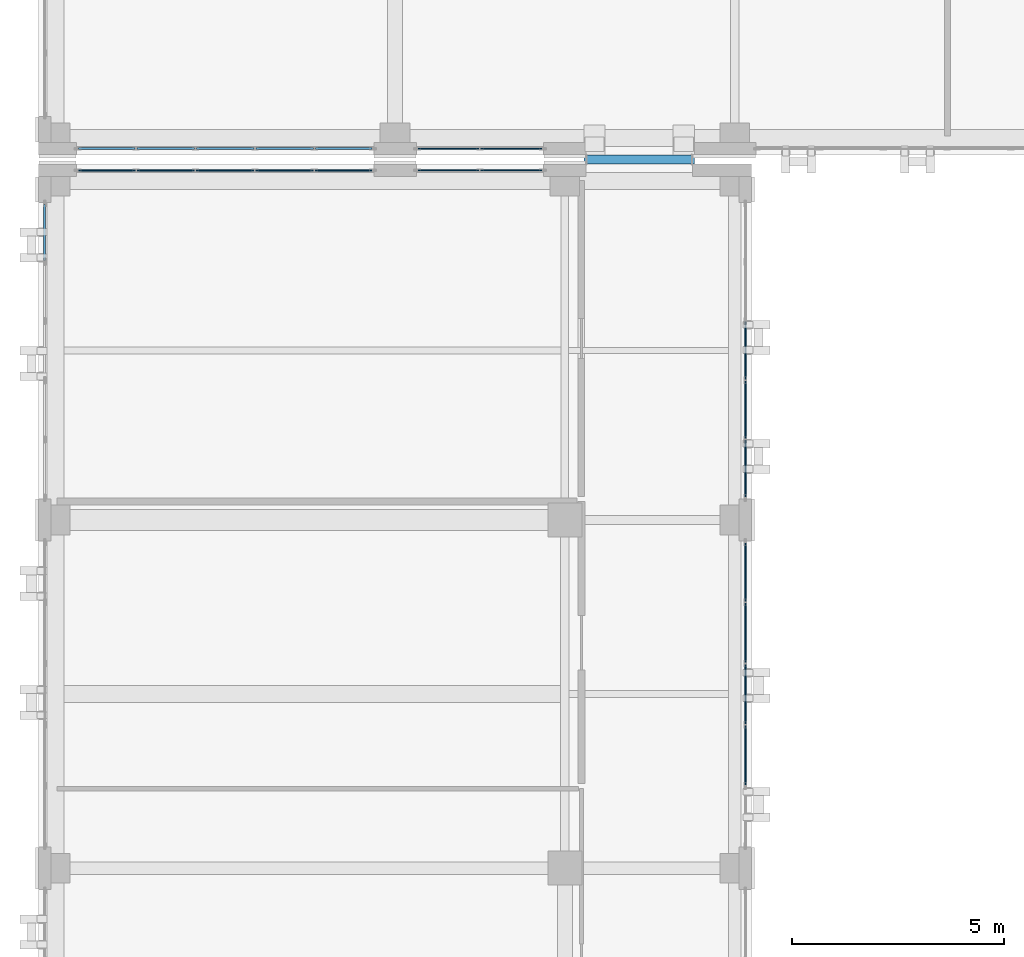
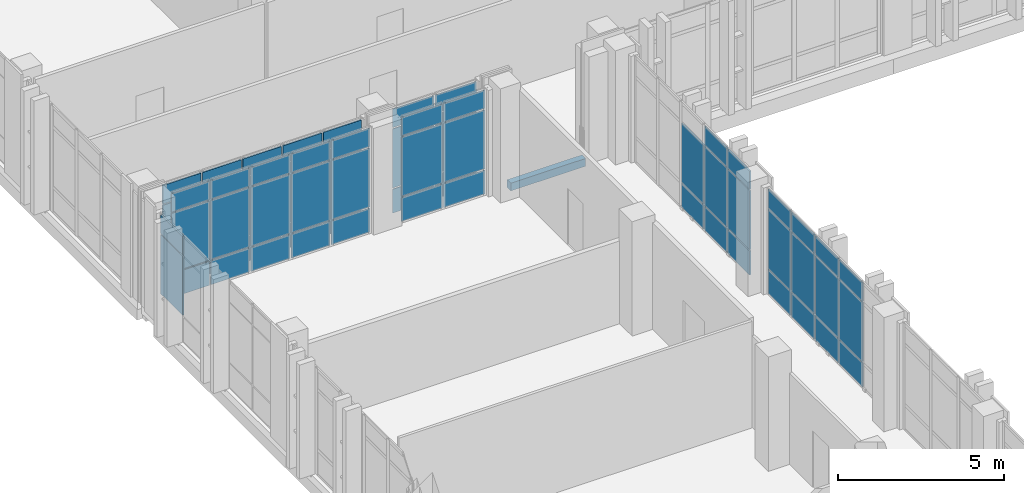
# One storey, part 124 of 165: 64 plates, 1 slab, 7 elements without a shape of their own.
"""IFC4 building model written with IfcOpenShell, lengths in metres."""

from ifc_helpers import new_model, si_unit, direction, frame, origin, origin_2d, place, context, subcontext, project, spatial, polyline, rectangle, outline, extrude, material, layer, layer_set, type_object, element, aggregate, save


model = new_model("IFC4")

# Units and contexts
model_context = context("Model", 3, precision=1e-05, world=origin(), true_north=direction((0.0, 1.0)))
body_context = subcontext(model_context, "Body", "Model", "MODEL_VIEW")
ifc_project = project(units=[si_unit("LENGTHUNIT", "METRE"), si_unit("AREAUNIT", "SQUARE_METRE"), si_unit("VOLUMEUNIT", "CUBIC_METRE"), si_unit("PLANEANGLEUNIT", "RADIAN"), si_unit("MASSUNIT", "GRAM", prefix="KILO")], contexts=[model_context])

# Site, building, storey
site_placement = place(None, origin())
site = spatial("IfcSite", under=ifc_project, at=site_placement, CompositionType="ELEMENT")
building_placement = place(site_placement, origin())
building = spatial("IfcBuilding", under=site, at=building_placement, Name="Qalavern Law Courts", CompositionType="ELEMENT")
storey_placement = place(building_placement, frame((0.0, 0.0, 14.39990234375)))
storey = spatial("IfcBuildingStorey", under=building, at=storey_placement, Name="L03", CompositionType="ELEMENT", Elevation=14.39990234375)

# Curtain wall, plates
ifc_material_1 = material(Name="Anodised aluminium and insulated glazing", Category="aluminium")
ifc_layer_1 = layer(ifc_material_1, 0.172119140625)
ifc_layer_set_1 = layer_set([ifc_layer_1], Name="Anodised aluminium and insulated glazing")
curtain_wall_type_1 = type_object("IfcCurtainWallType", Name="ENV-CW-COURT", PredefinedType="USERDEFINED", material=ifc_layer_set_1)
curtain_wall_1_placement = place(storey_placement, origin())
curtain_wall_1 = element("IfcCurtainWall", 1, at=curtain_wall_1_placement, inside=storey, type_object=curtain_wall_type_1, Name="V3 unitised curtain wall L03 north 1", ObjectType="UNITISED CURTAIN WALL", PredefinedType="USERDEFINED")
ifc_material_2 = material(Name="Insulated low-E acoustic glazing", Category="glass")
ifc_layer_2 = layer(ifc_material_2, 0.02392578125)
ifc_layer_set_2 = layer_set([ifc_layer_2], Name="Insulated low-E acoustic glazing")
plate_type_1 = type_object("IfcPlateType", Name="ENV-CWP-24", PredefinedType="CURTAIN_PANEL", material=ifc_layer_set_2)
plate_1_placement = place(storey_placement, frame((13.137939453125, 95.83251953125, 0.048095703125), z_axis=(0.0, 0.0, 1.0), x_axis=(-1.0, 0.0, 0.0)))
plate_1 = element("IfcPlate", 2, at=plate_1_placement, type_object=plate_type_1, Name="CW-03 panel 1.1", PredefinedType="CURTAIN_PANEL", context=body_context, shape_type="SweptSolid", body=[
    extrude(rectangle(XDim=1.427978515625, YDim=0.02392578125, at=origin_2d()), origin(), (0.0, 0.0, 1.0), 0.8779296875),
])
plate_2_placement = place(storey_placement, frame((13.137939453125, 95.83251953125, 0.97412109375), z_axis=(0.0, 0.0, 1.0), x_axis=(-1.0, 0.0, 0.0)))
plate_2 = element("IfcPlate", 3, at=plate_2_placement, type_object=plate_type_1, Name="CW-03 panel 1.2", PredefinedType="CURTAIN_PANEL", context=body_context, shape_type="SweptSolid", body=[
    extrude(rectangle(XDim=1.427978515625, YDim=0.02392578125, at=origin_2d()), origin(), (0.0, 0.0, 1.0), 2.172119140625),
])
plate_3_placement = place(storey_placement, frame((13.137939453125, 95.83251953125, 3.1943359375), z_axis=(0.0, 0.0, 1.0), x_axis=(-1.0, 0.0, 0.0)))
plate_3 = element("IfcPlate", 4, at=plate_3_placement, type_object=plate_type_1, Name="CW-03 panel 1.3", PredefinedType="CURTAIN_PANEL", context=body_context, shape_type="SweptSolid", body=[
    extrude(rectangle(XDim=1.427978515625, YDim=0.02392578125, at=origin_2d()), origin(), (0.0, 0.0, 1.0), 0.677978515625),
])
plate_4_placement = place(storey_placement, frame((11.662109375, 95.83251953125, 0.048095703125), z_axis=(0.0, 0.0, 1.0), x_axis=(-1.0, 0.0, 0.0)))
plate_4 = element("IfcPlate", 5, at=plate_4_placement, type_object=plate_type_1, Name="CW-03 panel 2.1", PredefinedType="CURTAIN_PANEL", context=body_context, shape_type="SweptSolid", body=[
    extrude(rectangle(XDim=1.427978515625, YDim=0.02392578125, at=origin_2d()), origin(), (0.0, 0.0, 1.0), 0.8779296875),
])
plate_5_placement = place(storey_placement, frame((11.662109375, 95.83251953125, 0.97412109375), z_axis=(0.0, 0.0, 1.0), x_axis=(-1.0, 0.0, 0.0)))
plate_5 = element("IfcPlate", 6, at=plate_5_placement, type_object=plate_type_1, Name="CW-03 panel 2.2", PredefinedType="CURTAIN_PANEL", context=body_context, shape_type="SweptSolid", body=[
    extrude(rectangle(XDim=1.427978515625, YDim=0.02392578125, at=origin_2d()), origin(), (0.0, 0.0, 1.0), 2.172119140625),
])
plate_6_placement = place(storey_placement, frame((11.662109375, 95.83251953125, 3.1943359375), z_axis=(0.0, 0.0, 1.0), x_axis=(-1.0, 0.0, 0.0)))
plate_6 = element("IfcPlate", 7, at=plate_6_placement, type_object=plate_type_1, Name="CW-03 panel 2.3", PredefinedType="CURTAIN_PANEL", context=body_context, shape_type="SweptSolid", body=[
    extrude(rectangle(XDim=1.427978515625, YDim=0.02392578125, at=origin_2d()), origin(), (0.0, 0.0, 1.0), 0.677978515625),
])
aggregate(curtain_wall_1, [plate_1, plate_2, plate_3, plate_4, plate_5, plate_6])

ifc_layer_3 = layer(ifc_material_1, 0.166015625)
ifc_layer_set_3 = layer_set([ifc_layer_3], Name="Anodised aluminium and insulated glazing")
curtain_wall_type_2 = type_object("IfcCurtainWallType", Name="ENV-CW-LIB", PredefinedType="USERDEFINED", material=ifc_layer_set_3)
curtain_wall_2_placement = place(storey_placement, origin())
curtain_wall_2 = element("IfcCurtainWall", 8, at=curtain_wall_2_placement, inside=storey, type_object=curtain_wall_type_2, Name="V5 unitised curtain wall L03 south 2", ObjectType="UNITISED CURTAIN WALL", PredefinedType="USERDEFINED")
plate_7_placement = place(storey_placement, frame((11.662109375, 96.347412109375, 0.048095703125), z_axis=(0.0, 0.0, 1.0), x_axis=(1.0, 0.0, 0.0)))
plate_7 = element("IfcPlate", 9, at=plate_7_placement, type_object=plate_type_1, Name="CW-05 panel 1.1", PredefinedType="CURTAIN_PANEL", context=body_context, shape_type="SweptSolid", body=[
    extrude(rectangle(XDim=1.427978515625, YDim=0.02392578125, at=origin_2d()), origin(), (0.0, 0.0, 1.0), 0.8779296875),
])
plate_8_placement = place(storey_placement, frame((11.662109375, 96.347412109375, 0.97412109375), z_axis=(0.0, 0.0, 1.0), x_axis=(1.0, 0.0, 0.0)))
plate_8 = element("IfcPlate", 10, at=plate_8_placement, type_object=plate_type_1, Name="CW-05 panel 1.2", PredefinedType="CURTAIN_PANEL", context=body_context, shape_type="SweptSolid", body=[
    extrude(rectangle(XDim=1.427978515625, YDim=0.02392578125, at=origin_2d()), origin(), (0.0, 0.0, 1.0), 2.172119140625),
])
plate_9_placement = place(storey_placement, frame((11.662109375, 96.347412109375, 3.1943359375), z_axis=(0.0, 0.0, 1.0), x_axis=(1.0, 0.0, 0.0)))
plate_9 = element("IfcPlate", 11, at=plate_9_placement, type_object=plate_type_1, Name="CW-05 panel 1.3", PredefinedType="CURTAIN_PANEL", context=body_context, shape_type="SweptSolid", body=[
    extrude(rectangle(XDim=1.427978515625, YDim=0.02392578125, at=origin_2d()), origin(), (0.0, 0.0, 1.0), 0.677978515625),
])
plate_10_placement = place(storey_placement, frame((13.137939453125, 96.347412109375, 0.048095703125), z_axis=(0.0, 0.0, 1.0), x_axis=(1.0, 0.0, 0.0)))
plate_10 = element("IfcPlate", 12, at=plate_10_placement, type_object=plate_type_1, Name="CW-05 panel 2.1", PredefinedType="CURTAIN_PANEL", context=body_context, shape_type="SweptSolid", body=[
    extrude(rectangle(XDim=1.427978515625, YDim=0.02392578125, at=origin_2d()), origin(), (0.0, 0.0, 1.0), 0.8779296875),
])
plate_11_placement = place(storey_placement, frame((13.137939453125, 96.347412109375, 0.97412109375), z_axis=(0.0, 0.0, 1.0), x_axis=(1.0, 0.0, 0.0)))
plate_11 = element("IfcPlate", 13, at=plate_11_placement, type_object=plate_type_1, Name="CW-05 panel 2.2", PredefinedType="CURTAIN_PANEL", context=body_context, shape_type="SweptSolid", body=[
    extrude(rectangle(XDim=1.427978515625, YDim=0.02392578125, at=origin_2d()), origin(), (0.0, 0.0, 1.0), 2.172119140625),
])
plate_12_placement = place(storey_placement, frame((13.137939453125, 96.347412109375, 3.1943359375), z_axis=(0.0, 0.0, 1.0), x_axis=(1.0, 0.0, 0.0)))
plate_12 = element("IfcPlate", 14, at=plate_12_placement, type_object=plate_type_1, Name="CW-05 panel 2.3", PredefinedType="CURTAIN_PANEL", context=body_context, shape_type="SweptSolid", body=[
    extrude(rectangle(XDim=1.427978515625, YDim=0.02392578125, at=origin_2d()), origin(), (0.0, 0.0, 1.0), 0.677978515625),
])
aggregate(curtain_wall_2, [plate_7, plate_8, plate_9, plate_10, plate_11, plate_12])

curtain_wall_3_placement = place(storey_placement, origin())
curtain_wall_3 = element("IfcCurtainWall", 15, at=curtain_wall_3_placement, inside=storey, type_object=curtain_wall_type_1, Name="V3 unitised curtain wall L03 north 2", ObjectType="UNITISED CURTAIN WALL", PredefinedType="USERDEFINED")
ifc_layer_4 = layer(ifc_material_2, 0.028076171875)
ifc_layer_set_4 = layer_set([ifc_layer_4], Name="Insulated low-E acoustic glazing")
plate_type_2 = type_object("IfcPlateType", Name="ENV-CWP-28", PredefinedType="CURTAIN_PANEL", material=ifc_layer_set_4)
plate_13_placement = place(storey_placement, frame((9.18798828125, 95.83251953125, 0.048095703125), z_axis=(0.0, 0.0, 1.0), x_axis=(-1.0, 0.0, 0.0)))
plate_13 = element("IfcPlate", 16, at=plate_13_placement, type_object=plate_type_2, Name="CW-03 panel 1.1", PredefinedType="CURTAIN_PANEL", context=body_context, shape_type="SweptSolid", body=[
    extrude(rectangle(XDim=1.327880859375, YDim=0.028076171875, at=origin_2d()), origin(), (0.0, 0.0, 1.0), 0.8779296875),
])
plate_14_placement = place(storey_placement, frame((9.18798828125, 95.83251953125, 0.97412109375), z_axis=(0.0, 0.0, 1.0), x_axis=(-1.0, 0.0, 0.0)))
plate_14 = element("IfcPlate", 17, at=plate_14_placement, type_object=plate_type_2, Name="CW-03 panel 1.2", PredefinedType="CURTAIN_PANEL", context=body_context, shape_type="SweptSolid", body=[
    extrude(rectangle(XDim=1.327880859375, YDim=0.028076171875, at=origin_2d()), origin(), (0.0, 0.0, 1.0), 2.172119140625),
])
plate_15_placement = place(storey_placement, frame((9.18798828125, 95.83251953125, 3.1943359375), z_axis=(0.0, 0.0, 1.0), x_axis=(-1.0, 0.0, 0.0)))
plate_15 = element("IfcPlate", 18, at=plate_15_placement, type_object=plate_type_2, Name="CW-03 panel 1.3", PredefinedType="CURTAIN_PANEL", context=body_context, shape_type="SweptSolid", body=[
    extrude(rectangle(XDim=1.327880859375, YDim=0.028076171875, at=origin_2d()), origin(), (0.0, 0.0, 1.0), 0.677978515625),
])
plate_16_placement = place(storey_placement, frame((7.800048828125, 95.83251953125, 0.048095703125), z_axis=(0.0, 0.0, 1.0), x_axis=(-1.0, 0.0, 0.0)))
plate_16 = element("IfcPlate", 19, at=plate_16_placement, type_object=plate_type_2, Name="CW-03 panel 2.1", PredefinedType="CURTAIN_PANEL", context=body_context, shape_type="SweptSolid", body=[
    extrude(rectangle(XDim=1.35205078125, YDim=0.028076171875, at=origin_2d()), origin(), (0.0, 0.0, 1.0), 0.8779296875),
])
plate_17_placement = place(storey_placement, frame((7.800048828125, 95.83251953125, 0.97412109375), z_axis=(0.0, 0.0, 1.0), x_axis=(-1.0, 0.0, 0.0)))
plate_17 = element("IfcPlate", 20, at=plate_17_placement, type_object=plate_type_2, Name="CW-03 panel 2.2", PredefinedType="CURTAIN_PANEL", context=body_context, shape_type="SweptSolid", body=[
    extrude(rectangle(XDim=1.35205078125, YDim=0.028076171875, at=origin_2d()), origin(), (0.0, 0.0, 1.0), 2.172119140625),
])
plate_18_placement = place(storey_placement, frame((7.800048828125, 95.83251953125, 3.1943359375), z_axis=(0.0, 0.0, 1.0), x_axis=(-1.0, 0.0, 0.0)))
plate_18 = element("IfcPlate", 21, at=plate_18_placement, type_object=plate_type_2, Name="CW-03 panel 2.3", PredefinedType="CURTAIN_PANEL", context=body_context, shape_type="SweptSolid", body=[
    extrude(rectangle(XDim=1.35205078125, YDim=0.028076171875, at=origin_2d()), origin(), (0.0, 0.0, 1.0), 0.677978515625),
])
plate_19_placement = place(storey_placement, frame((6.39990234375, 95.83251953125, 0.048095703125), z_axis=(0.0, 0.0, 1.0), x_axis=(-1.0, 0.0, 0.0)))
plate_19 = element("IfcPlate", 22, at=plate_19_placement, type_object=plate_type_2, Name="CW-03 panel 3.1", PredefinedType="CURTAIN_PANEL", context=body_context, shape_type="SweptSolid", body=[
    extrude(rectangle(XDim=1.35205078125, YDim=0.028076171875, at=origin_2d()), origin(), (0.0, 0.0, 1.0), 0.8779296875),
])
plate_20_placement = place(storey_placement, frame((6.39990234375, 95.83251953125, 0.97412109375), z_axis=(0.0, 0.0, 1.0), x_axis=(-1.0, 0.0, 0.0)))
plate_20 = element("IfcPlate", 23, at=plate_20_placement, type_object=plate_type_2, Name="CW-03 panel 3.2", PredefinedType="CURTAIN_PANEL", context=body_context, shape_type="SweptSolid", body=[
    extrude(rectangle(XDim=1.35205078125, YDim=0.028076171875, at=origin_2d()), origin(), (0.0, 0.0, 1.0), 2.172119140625),
])
plate_21_placement = place(storey_placement, frame((6.39990234375, 95.83251953125, 3.1943359375), z_axis=(0.0, 0.0, 1.0), x_axis=(-1.0, 0.0, 0.0)))
plate_21 = element("IfcPlate", 24, at=plate_21_placement, type_object=plate_type_2, Name="CW-03 panel 3.3", PredefinedType="CURTAIN_PANEL", context=body_context, shape_type="SweptSolid", body=[
    extrude(rectangle(XDim=1.35205078125, YDim=0.028076171875, at=origin_2d()), origin(), (0.0, 0.0, 1.0), 0.677978515625),
])
plate_22_placement = place(storey_placement, frame((5.0, 95.83251953125, 0.048095703125), z_axis=(0.0, 0.0, 1.0), x_axis=(-1.0, 0.0, 0.0)))
plate_22 = element("IfcPlate", 25, at=plate_22_placement, type_object=plate_type_2, Name="CW-03 panel 4.1", PredefinedType="CURTAIN_PANEL", context=body_context, shape_type="SweptSolid", body=[
    extrude(rectangle(XDim=1.35205078125, YDim=0.028076171875, at=origin_2d()), origin(), (0.0, 0.0, 1.0), 0.8779296875),
])
plate_23_placement = place(storey_placement, frame((5.0, 95.83251953125, 0.97412109375), z_axis=(0.0, 0.0, 1.0), x_axis=(-1.0, 0.0, 0.0)))
plate_23 = element("IfcPlate", 26, at=plate_23_placement, type_object=plate_type_2, Name="CW-03 panel 4.2", PredefinedType="CURTAIN_PANEL", context=body_context, shape_type="SweptSolid", body=[
    extrude(rectangle(XDim=1.35205078125, YDim=0.028076171875, at=origin_2d()), origin(), (0.0, 0.0, 1.0), 2.172119140625),
])
plate_24_placement = place(storey_placement, frame((5.0, 95.83251953125, 3.1943359375), z_axis=(0.0, 0.0, 1.0), x_axis=(-1.0, 0.0, 0.0)))
plate_24 = element("IfcPlate", 27, at=plate_24_placement, type_object=plate_type_2, Name="CW-03 panel 4.3", PredefinedType="CURTAIN_PANEL", context=body_context, shape_type="SweptSolid", body=[
    extrude(rectangle(XDim=1.35205078125, YDim=0.028076171875, at=origin_2d()), origin(), (0.0, 0.0, 1.0), 0.677978515625),
])
plate_25_placement = place(storey_placement, frame((3.612060546875, 95.83251953125, 0.048095703125), z_axis=(0.0, 0.0, 1.0), x_axis=(-1.0, 0.0, 0.0)))
plate_25 = element("IfcPlate", 28, at=plate_25_placement, type_object=plate_type_2, Name="CW-03 panel 5.1", PredefinedType="CURTAIN_PANEL", context=body_context, shape_type="SweptSolid", body=[
    extrude(rectangle(XDim=1.327880859375, YDim=0.028076171875, at=origin_2d()), origin(), (0.0, 0.0, 1.0), 0.8779296875),
])
plate_26_placement = place(storey_placement, frame((3.612060546875, 95.83251953125, 0.97412109375), z_axis=(0.0, 0.0, 1.0), x_axis=(-1.0, 0.0, 0.0)))
plate_26 = element("IfcPlate", 29, at=plate_26_placement, type_object=plate_type_2, Name="CW-03 panel 5.2", PredefinedType="CURTAIN_PANEL", context=body_context, shape_type="SweptSolid", body=[
    extrude(rectangle(XDim=1.327880859375, YDim=0.028076171875, at=origin_2d()), origin(), (0.0, 0.0, 1.0), 2.172119140625),
])
plate_27_placement = place(storey_placement, frame((3.612060546875, 95.83251953125, 3.1943359375), z_axis=(0.0, 0.0, 1.0), x_axis=(-1.0, 0.0, 0.0)))
plate_27 = element("IfcPlate", 30, at=plate_27_placement, type_object=plate_type_2, Name="CW-03 panel 5.3", PredefinedType="CURTAIN_PANEL", context=body_context, shape_type="SweptSolid", body=[
    extrude(rectangle(XDim=1.327880859375, YDim=0.028076171875, at=origin_2d()), origin(), (0.0, 0.0, 1.0), 0.677978515625),
])
aggregate(curtain_wall_3, [plate_13, plate_14, plate_15, plate_16, plate_17, plate_18, plate_19, plate_20, plate_21, plate_22, plate_23, plate_24, plate_25, plate_26, plate_27])

curtain_wall_4_placement = place(storey_placement, origin())
curtain_wall_4 = element("IfcCurtainWall", 31, at=curtain_wall_4_placement, inside=storey, type_object=curtain_wall_type_1, Name="V3 unitised curtain wall L03 east 6", ObjectType="UNITISED CURTAIN WALL", PredefinedType="USERDEFINED")
ifc_layer_5 = layer(ifc_material_2, 0.0400390625)
ifc_layer_set_5 = layer_set([ifc_layer_5], Name="Insulated low-E acoustic glazing")
plate_type_3 = type_object("IfcPlateType", Name="ENV-CWP-40", PredefinedType="CURTAIN_PANEL", material=ifc_layer_set_5)
plate_28_placement = place(storey_placement, frame((18.652587890625, 82.06005859375, 0.048095703125), z_axis=(0.0, 0.0, 1.0), x_axis=(0.0, 1.0, 0.0)))
plate_28 = element("IfcPlate", 32, at=plate_28_placement, type_object=plate_type_3, Name="CW-03 panel 2.1", PredefinedType="CURTAIN_PANEL", context=body_context, shape_type="SweptSolid", body=[
    extrude(rectangle(XDim=1.39208984375, YDim=0.0400390625, at=origin_2d()), origin(), (0.0, 0.0, 1.0), 0.8779296875),
])
plate_29_placement = place(storey_placement, frame((18.652587890625, 82.06005859375, 0.97412109375), z_axis=(0.0, 0.0, 1.0), x_axis=(0.0, 1.0, 0.0)))
plate_29 = element("IfcPlate", 33, at=plate_29_placement, type_object=plate_type_3, Name="CW-03 panel 2.2", PredefinedType="CURTAIN_PANEL", context=body_context, shape_type="SweptSolid", body=[
    extrude(rectangle(XDim=1.39208984375, YDim=0.0400390625, at=origin_2d()), origin(), (0.0, 0.0, 1.0), 2.172119140625),
])
plate_30_placement = place(storey_placement, frame((18.652587890625, 82.06005859375, 3.1943359375), z_axis=(0.0, 0.0, 1.0), x_axis=(0.0, 1.0, 0.0)))
plate_30 = element("IfcPlate", 34, at=plate_30_placement, type_object=plate_type_3, Name="CW-03 panel 2.3", PredefinedType="CURTAIN_PANEL", context=body_context, shape_type="SweptSolid", body=[
    extrude(rectangle(XDim=1.39208984375, YDim=0.0400390625, at=origin_2d()), origin(), (0.0, 0.0, 1.0), 0.677978515625),
])
plate_31_placement = place(storey_placement, frame((18.652587890625, 83.5, 0.048095703125), z_axis=(0.0, 0.0, 1.0), x_axis=(0.0, 1.0, 0.0)))
plate_31 = element("IfcPlate", 35, at=plate_31_placement, type_object=plate_type_3, Name="CW-03 panel 3.1", PredefinedType="CURTAIN_PANEL", context=body_context, shape_type="SweptSolid", body=[
    extrude(rectangle(XDim=1.39208984375, YDim=0.0400390625, at=origin_2d()), origin(), (0.0, 0.0, 1.0), 0.8779296875),
])
plate_32_placement = place(storey_placement, frame((18.652587890625, 83.5, 0.97412109375), z_axis=(0.0, 0.0, 1.0), x_axis=(0.0, 1.0, 0.0)))
plate_32 = element("IfcPlate", 36, at=plate_32_placement, type_object=plate_type_3, Name="CW-03 panel 3.2", PredefinedType="CURTAIN_PANEL", context=body_context, shape_type="SweptSolid", body=[
    extrude(rectangle(XDim=1.39208984375, YDim=0.0400390625, at=origin_2d()), origin(), (0.0, 0.0, 1.0), 2.172119140625),
])
plate_33_placement = place(storey_placement, frame((18.652587890625, 83.5, 3.1943359375), z_axis=(0.0, 0.0, 1.0), x_axis=(0.0, 1.0, 0.0)))
plate_33 = element("IfcPlate", 37, at=plate_33_placement, type_object=plate_type_3, Name="CW-03 panel 3.3", PredefinedType="CURTAIN_PANEL", context=body_context, shape_type="SweptSolid", body=[
    extrude(rectangle(XDim=1.39208984375, YDim=0.0400390625, at=origin_2d()), origin(), (0.0, 0.0, 1.0), 0.677978515625),
])
plate_34_placement = place(storey_placement, frame((18.652587890625, 84.93994140625, 0.048095703125), z_axis=(0.0, 0.0, 1.0), x_axis=(0.0, 1.0, 0.0)))
plate_34 = element("IfcPlate", 38, at=plate_34_placement, type_object=plate_type_3, Name="CW-03 panel 4.1", PredefinedType="CURTAIN_PANEL", context=body_context, shape_type="SweptSolid", body=[
    extrude(rectangle(XDim=1.39208984375, YDim=0.0400390625, at=origin_2d()), origin(), (0.0, 0.0, 1.0), 0.8779296875),
])
plate_35_placement = place(storey_placement, frame((18.652587890625, 84.93994140625, 0.97412109375), z_axis=(0.0, 0.0, 1.0), x_axis=(0.0, 1.0, 0.0)))
plate_35 = element("IfcPlate", 39, at=plate_35_placement, type_object=plate_type_3, Name="CW-03 panel 4.2", PredefinedType="CURTAIN_PANEL", context=body_context, shape_type="SweptSolid", body=[
    extrude(rectangle(XDim=1.39208984375, YDim=0.0400390625, at=origin_2d()), origin(), (0.0, 0.0, 1.0), 2.172119140625),
])
plate_36_placement = place(storey_placement, frame((18.652587890625, 84.93994140625, 3.1943359375), z_axis=(0.0, 0.0, 1.0), x_axis=(0.0, 1.0, 0.0)))
plate_36 = element("IfcPlate", 40, at=plate_36_placement, type_object=plate_type_3, Name="CW-03 panel 4.3", PredefinedType="CURTAIN_PANEL", context=body_context, shape_type="SweptSolid", body=[
    extrude(rectangle(XDim=1.39208984375, YDim=0.0400390625, at=origin_2d()), origin(), (0.0, 0.0, 1.0), 0.677978515625),
])
plate_37_placement = place(storey_placement, frame((18.652587890625, 86.367919921875, 0.048095703125), z_axis=(0.0, 0.0, 1.0), x_axis=(0.0, 1.0, 0.0)))
plate_37 = element("IfcPlate", 41, at=plate_37_placement, type_object=plate_type_3, Name="CW-03 panel 5.1", PredefinedType="CURTAIN_PANEL", context=body_context, shape_type="SweptSolid", body=[
    extrude(rectangle(XDim=1.367919921875, YDim=0.0400390625, at=origin_2d()), origin(), (0.0, 0.0, 1.0), 0.8779296875),
])
plate_38_placement = place(storey_placement, frame((18.652587890625, 86.367919921875, 0.97412109375), z_axis=(0.0, 0.0, 1.0), x_axis=(0.0, 1.0, 0.0)))
plate_38 = element("IfcPlate", 42, at=plate_38_placement, type_object=plate_type_3, Name="CW-03 panel 5.2", PredefinedType="CURTAIN_PANEL", context=body_context, shape_type="SweptSolid", body=[
    extrude(rectangle(XDim=1.367919921875, YDim=0.0400390625, at=origin_2d()), origin(), (0.0, 0.0, 1.0), 2.172119140625),
])
plate_39_placement = place(storey_placement, frame((18.652587890625, 86.367919921875, 3.1943359375), z_axis=(0.0, 0.0, 1.0), x_axis=(0.0, 1.0, 0.0)))
plate_39 = element("IfcPlate", 43, at=plate_39_placement, type_object=plate_type_3, Name="CW-03 panel 5.3", PredefinedType="CURTAIN_PANEL", context=body_context, shape_type="SweptSolid", body=[
    extrude(rectangle(XDim=1.367919921875, YDim=0.0400390625, at=origin_2d()), origin(), (0.0, 0.0, 1.0), 0.677978515625),
])
aggregate(curtain_wall_4, [plate_28, plate_29, plate_30, plate_31, plate_32, plate_33, plate_34, plate_35, plate_36, plate_37, plate_38, plate_39])

curtain_wall_5_placement = place(storey_placement, origin())
curtain_wall_5 = element("IfcCurtainWall", 44, at=curtain_wall_5_placement, inside=storey, type_object=curtain_wall_type_1, Name="V3 unitised curtain wall L03 east 7", ObjectType="UNITISED CURTAIN WALL", PredefinedType="USERDEFINED")
ifc_layer_6 = layer(ifc_material_2, 0.0439453125)
ifc_layer_set_6 = layer_set([ifc_layer_6], Name="Insulated low-E acoustic glazing")
plate_type_4 = type_object("IfcPlateType", Name="ENV-CWP-44", PredefinedType="CURTAIN_PANEL", material=ifc_layer_set_6)
plate_40_placement = place(storey_placement, frame((18.652587890625, 88.81005859375, 0.048095703125), z_axis=(0.0, 0.0, 1.0), x_axis=(0.0, 1.0, 0.0)))
plate_40 = element("IfcPlate", 45, at=plate_40_placement, type_object=plate_type_4, Name="CW-03 panel 1.1", PredefinedType="CURTAIN_PANEL", context=body_context, shape_type="SweptSolid", body=[
    extrude(rectangle(XDim=1.323974609375, YDim=0.0439453125, at=origin_2d()), origin(), (0.0, 0.0, 1.0), 0.8779296875),
])
plate_41_placement = place(storey_placement, frame((18.652587890625, 88.81005859375, 0.97412109375), z_axis=(0.0, 0.0, 1.0), x_axis=(0.0, 1.0, 0.0)))
plate_41 = element("IfcPlate", 46, at=plate_41_placement, type_object=plate_type_4, Name="CW-03 panel 1.2", PredefinedType="CURTAIN_PANEL", context=body_context, shape_type="SweptSolid", body=[
    extrude(rectangle(XDim=1.323974609375, YDim=0.0439453125, at=origin_2d()), origin(), (0.0, 0.0, 1.0), 2.172119140625),
])
plate_42_placement = place(storey_placement, frame((18.652587890625, 88.81005859375, 3.1943359375), z_axis=(0.0, 0.0, 1.0), x_axis=(0.0, 1.0, 0.0)))
plate_42 = element("IfcPlate", 47, at=plate_42_placement, type_object=plate_type_4, Name="CW-03 panel 1.3", PredefinedType="CURTAIN_PANEL", context=body_context, shape_type="SweptSolid", body=[
    extrude(rectangle(XDim=1.323974609375, YDim=0.0439453125, at=origin_2d()), origin(), (0.0, 0.0, 1.0), 0.677978515625),
])
plate_43_placement = place(storey_placement, frame((18.652587890625, 90.194091796875, 0.048095703125), z_axis=(0.0, 0.0, 1.0), x_axis=(0.0, 1.0, 0.0)))
plate_43 = element("IfcPlate", 48, at=plate_43_placement, type_object=plate_type_4, Name="CW-03 panel 2.1", PredefinedType="CURTAIN_PANEL", context=body_context, shape_type="SweptSolid", body=[
    extrude(rectangle(XDim=1.347900390625, YDim=0.0439453125, at=origin_2d()), origin(), (0.0, 0.0, 1.0), 0.8779296875),
])
plate_44_placement = place(storey_placement, frame((18.652587890625, 90.194091796875, 0.97412109375), z_axis=(0.0, 0.0, 1.0), x_axis=(0.0, 1.0, 0.0)))
plate_44 = element("IfcPlate", 49, at=plate_44_placement, type_object=plate_type_4, Name="CW-03 panel 2.2", PredefinedType="CURTAIN_PANEL", context=body_context, shape_type="SweptSolid", body=[
    extrude(rectangle(XDim=1.347900390625, YDim=0.0439453125, at=origin_2d()), origin(), (0.0, 0.0, 1.0), 2.172119140625),
])
plate_45_placement = place(storey_placement, frame((18.652587890625, 90.194091796875, 3.1943359375), z_axis=(0.0, 0.0, 1.0), x_axis=(0.0, 1.0, 0.0)))
plate_45 = element("IfcPlate", 50, at=plate_45_placement, type_object=plate_type_4, Name="CW-03 panel 2.3", PredefinedType="CURTAIN_PANEL", context=body_context, shape_type="SweptSolid", body=[
    extrude(rectangle(XDim=1.347900390625, YDim=0.0439453125, at=origin_2d()), origin(), (0.0, 0.0, 1.0), 0.677978515625),
])
plate_46_placement = place(storey_placement, frame((18.652587890625, 91.590087890625, 0.048095703125), z_axis=(0.0, 0.0, 1.0), x_axis=(0.0, 1.0, 0.0)))
plate_46 = element("IfcPlate", 51, at=plate_46_placement, type_object=plate_type_4, Name="CW-03 panel 3.1", PredefinedType="CURTAIN_PANEL", context=body_context, shape_type="SweptSolid", body=[
    extrude(rectangle(XDim=1.347900390625, YDim=0.0439453125, at=origin_2d()), origin(), (0.0, 0.0, 1.0), 0.8779296875),
])
plate_47_placement = place(storey_placement, frame((18.652587890625, 91.590087890625, 0.97412109375), z_axis=(0.0, 0.0, 1.0), x_axis=(0.0, 1.0, 0.0)))
plate_47 = element("IfcPlate", 52, at=plate_47_placement, type_object=plate_type_4, Name="CW-03 panel 3.2", PredefinedType="CURTAIN_PANEL", context=body_context, shape_type="SweptSolid", body=[
    extrude(rectangle(XDim=1.347900390625, YDim=0.0439453125, at=origin_2d()), origin(), (0.0, 0.0, 1.0), 2.172119140625),
])
aggregate(curtain_wall_5, [plate_40, plate_41, plate_42, plate_43, plate_44, plate_45, plate_46, plate_47])

curtain_wall_6_placement = place(storey_placement, origin())
curtain_wall_6 = element("IfcCurtainWall", 53, at=curtain_wall_6_placement, inside=storey, type_object=curtain_wall_type_1, Name="V3 unitised curtain wall L03 west 1", ObjectType="UNITISED CURTAIN WALL", PredefinedType="USERDEFINED")
ifc_layer_7 = layer(ifc_material_2, 0.052001953125)
ifc_layer_set_7 = layer_set([ifc_layer_7], Name="Insulated low-E acoustic glazing")
plate_type_5 = type_object("IfcPlateType", Name="ENV-CWP-52", PredefinedType="CURTAIN_PANEL", material=ifc_layer_set_7)
plate_48_placement = place(storey_placement, frame((2.1474609375, 94.3701171875, 0.97412109375), z_axis=(0.0, 0.0, 1.0), x_axis=(0.0, -1.0, 0.0)))
plate_48 = element("IfcPlate", 54, at=plate_48_placement, type_object=plate_type_5, Name="CW-03 panel 1.2", PredefinedType="CURTAIN_PANEL", context=body_context, shape_type="SweptSolid", body=[
    extrude(rectangle(XDim=1.323974609375, YDim=0.052001953125, at=origin_2d()), origin(), (0.0, 0.0, 1.0), 2.172119140625),
])
plate_49_placement = place(storey_placement, frame((2.1474609375, 94.3701171875, 3.1943359375), z_axis=(0.0, 0.0, 1.0), x_axis=(0.0, -1.0, 0.0)))
plate_49 = element("IfcPlate", 55, at=plate_49_placement, type_object=plate_type_5, Name="CW-03 panel 1.3", PredefinedType="CURTAIN_PANEL", context=body_context, shape_type="SweptSolid", body=[
    extrude(rectangle(XDim=1.323974609375, YDim=0.052001953125, at=origin_2d()), origin(), (0.0, 0.0, 1.0), 0.677978515625),
])
aggregate(curtain_wall_6, [plate_48, plate_49])

curtain_wall_7_placement = place(storey_placement, origin())
curtain_wall_7 = element("IfcCurtainWall", 56, at=curtain_wall_7_placement, inside=storey, type_object=curtain_wall_type_2, Name="V5 unitised curtain wall L03 south 1", ObjectType="UNITISED CURTAIN WALL", PredefinedType="USERDEFINED")
plate_50_placement = place(storey_placement, frame((3.612060546875, 96.347412109375, 0.048095703125), z_axis=(0.0, 0.0, 1.0), x_axis=(1.0, 0.0, 0.0)))
plate_50 = element("IfcPlate", 57, at=plate_50_placement, type_object=plate_type_5, Name="CW-05 panel 1.1", PredefinedType="CURTAIN_PANEL", context=body_context, shape_type="SweptSolid", body=[
    extrude(rectangle(XDim=1.327880859375, YDim=0.052001953125, at=origin_2d()), origin(), (0.0, 0.0, 1.0), 0.8779296875),
])
plate_51_placement = place(storey_placement, frame((3.612060546875, 96.347412109375, 0.97412109375), z_axis=(0.0, 0.0, 1.0), x_axis=(1.0, 0.0, 0.0)))
plate_51 = element("IfcPlate", 58, at=plate_51_placement, type_object=plate_type_5, Name="CW-05 panel 1.2", PredefinedType="CURTAIN_PANEL", context=body_context, shape_type="SweptSolid", body=[
    extrude(rectangle(XDim=1.327880859375, YDim=0.052001953125, at=origin_2d()), origin(), (0.0, 0.0, 1.0), 2.172119140625),
])
plate_52_placement = place(storey_placement, frame((3.612060546875, 96.347412109375, 3.1943359375), z_axis=(0.0, 0.0, 1.0), x_axis=(1.0, 0.0, 0.0)))
plate_52 = element("IfcPlate", 59, at=plate_52_placement, type_object=plate_type_5, Name="CW-05 panel 1.3", PredefinedType="CURTAIN_PANEL", context=body_context, shape_type="SweptSolid", body=[
    extrude(rectangle(XDim=1.327880859375, YDim=0.052001953125, at=origin_2d()), origin(), (0.0, 0.0, 1.0), 0.677978515625),
])
plate_53_placement = place(storey_placement, frame((5.0, 96.347412109375, 0.048095703125), z_axis=(0.0, 0.0, 1.0), x_axis=(1.0, 0.0, 0.0)))
plate_53 = element("IfcPlate", 60, at=plate_53_placement, type_object=plate_type_5, Name="CW-05 panel 2.1", PredefinedType="CURTAIN_PANEL", context=body_context, shape_type="SweptSolid", body=[
    extrude(rectangle(XDim=1.35205078125, YDim=0.052001953125, at=origin_2d()), origin(), (0.0, 0.0, 1.0), 0.8779296875),
])
plate_54_placement = place(storey_placement, frame((5.0, 96.347412109375, 0.97412109375), z_axis=(0.0, 0.0, 1.0), x_axis=(1.0, 0.0, 0.0)))
plate_54 = element("IfcPlate", 61, at=plate_54_placement, type_object=plate_type_5, Name="CW-05 panel 2.2", PredefinedType="CURTAIN_PANEL", context=body_context, shape_type="SweptSolid", body=[
    extrude(rectangle(XDim=1.35205078125, YDim=0.052001953125, at=origin_2d()), origin(), (0.0, 0.0, 1.0), 2.172119140625),
])
plate_55_placement = place(storey_placement, frame((5.0, 96.347412109375, 3.1943359375), z_axis=(0.0, 0.0, 1.0), x_axis=(1.0, 0.0, 0.0)))
plate_55 = element("IfcPlate", 62, at=plate_55_placement, type_object=plate_type_5, Name="CW-05 panel 2.3", PredefinedType="CURTAIN_PANEL", context=body_context, shape_type="SweptSolid", body=[
    extrude(rectangle(XDim=1.35205078125, YDim=0.052001953125, at=origin_2d()), origin(), (0.0, 0.0, 1.0), 0.677978515625),
])
plate_56_placement = place(storey_placement, frame((6.39990234375, 96.347412109375, 0.048095703125), z_axis=(0.0, 0.0, 1.0), x_axis=(1.0, 0.0, 0.0)))
plate_56 = element("IfcPlate", 63, at=plate_56_placement, type_object=plate_type_5, Name="CW-05 panel 3.1", PredefinedType="CURTAIN_PANEL", context=body_context, shape_type="SweptSolid", body=[
    extrude(rectangle(XDim=1.35205078125, YDim=0.052001953125, at=origin_2d()), origin(), (0.0, 0.0, 1.0), 0.8779296875),
])
plate_57_placement = place(storey_placement, frame((6.39990234375, 96.347412109375, 0.97412109375), z_axis=(0.0, 0.0, 1.0), x_axis=(1.0, 0.0, 0.0)))
plate_57 = element("IfcPlate", 64, at=plate_57_placement, type_object=plate_type_5, Name="CW-05 panel 3.2", PredefinedType="CURTAIN_PANEL", context=body_context, shape_type="SweptSolid", body=[
    extrude(rectangle(XDim=1.35205078125, YDim=0.052001953125, at=origin_2d()), origin(), (0.0, 0.0, 1.0), 2.172119140625),
])
plate_58_placement = place(storey_placement, frame((6.39990234375, 96.347412109375, 3.1943359375), z_axis=(0.0, 0.0, 1.0), x_axis=(1.0, 0.0, 0.0)))
plate_58 = element("IfcPlate", 65, at=plate_58_placement, type_object=plate_type_5, Name="CW-05 panel 3.3", PredefinedType="CURTAIN_PANEL", context=body_context, shape_type="SweptSolid", body=[
    extrude(rectangle(XDim=1.35205078125, YDim=0.052001953125, at=origin_2d()), origin(), (0.0, 0.0, 1.0), 0.677978515625),
])
plate_59_placement = place(storey_placement, frame((7.800048828125, 96.347412109375, 0.048095703125), z_axis=(0.0, 0.0, 1.0), x_axis=(1.0, 0.0, 0.0)))
plate_59 = element("IfcPlate", 66, at=plate_59_placement, type_object=plate_type_5, Name="CW-05 panel 4.1", PredefinedType="CURTAIN_PANEL", context=body_context, shape_type="SweptSolid", body=[
    extrude(rectangle(XDim=1.35205078125, YDim=0.052001953125, at=origin_2d()), origin(), (0.0, 0.0, 1.0), 0.8779296875),
])
plate_60_placement = place(storey_placement, frame((7.800048828125, 96.347412109375, 0.97412109375), z_axis=(0.0, 0.0, 1.0), x_axis=(1.0, 0.0, 0.0)))
plate_60 = element("IfcPlate", 67, at=plate_60_placement, type_object=plate_type_5, Name="CW-05 panel 4.2", PredefinedType="CURTAIN_PANEL", context=body_context, shape_type="SweptSolid", body=[
    extrude(rectangle(XDim=1.35205078125, YDim=0.052001953125, at=origin_2d()), origin(), (0.0, 0.0, 1.0), 2.172119140625),
])
plate_61_placement = place(storey_placement, frame((7.800048828125, 96.347412109375, 3.1943359375), z_axis=(0.0, 0.0, 1.0), x_axis=(1.0, 0.0, 0.0)))
plate_61 = element("IfcPlate", 68, at=plate_61_placement, type_object=plate_type_5, Name="CW-05 panel 4.3", PredefinedType="CURTAIN_PANEL", context=body_context, shape_type="SweptSolid", body=[
    extrude(rectangle(XDim=1.35205078125, YDim=0.052001953125, at=origin_2d()), origin(), (0.0, 0.0, 1.0), 0.677978515625),
])
plate_62_placement = place(storey_placement, frame((9.18798828125, 96.347412109375, 0.048095703125), z_axis=(0.0, 0.0, 1.0), x_axis=(1.0, 0.0, 0.0)))
plate_62 = element("IfcPlate", 69, at=plate_62_placement, type_object=plate_type_5, Name="CW-05 panel 5.1", PredefinedType="CURTAIN_PANEL", context=body_context, shape_type="SweptSolid", body=[
    extrude(rectangle(XDim=1.327880859375, YDim=0.052001953125, at=origin_2d()), origin(), (0.0, 0.0, 1.0), 0.8779296875),
])
plate_63_placement = place(storey_placement, frame((9.18798828125, 96.347412109375, 0.97412109375), z_axis=(0.0, 0.0, 1.0), x_axis=(1.0, 0.0, 0.0)))
plate_63 = element("IfcPlate", 70, at=plate_63_placement, type_object=plate_type_5, Name="CW-05 panel 5.2", PredefinedType="CURTAIN_PANEL", context=body_context, shape_type="SweptSolid", body=[
    extrude(rectangle(XDim=1.327880859375, YDim=0.052001953125, at=origin_2d()), origin(), (0.0, 0.0, 1.0), 2.172119140625),
])
plate_64_placement = place(storey_placement, frame((9.18798828125, 96.347412109375, 3.1943359375), z_axis=(0.0, 0.0, 1.0), x_axis=(1.0, 0.0, 0.0)))
plate_64 = element("IfcPlate", 71, at=plate_64_placement, type_object=plate_type_5, Name="CW-05 panel 5.3", PredefinedType="CURTAIN_PANEL", context=body_context, shape_type="SweptSolid", body=[
    extrude(rectangle(XDim=1.327880859375, YDim=0.052001953125, at=origin_2d()), origin(), (0.0, 0.0, 1.0), 0.677978515625),
])
aggregate(curtain_wall_7, [plate_50, plate_51, plate_52, plate_53, plate_54, plate_55, plate_56, plate_57, plate_58, plate_59, plate_60, plate_61, plate_62, plate_63, plate_64])

# Slab
ifc_material_3 = material(Name="Concrete C40/50", Category="concrete")
ifc_layer_8 = layer(ifc_material_3, 0.284912109375)
ifc_layer_set_8 = layer_set([ifc_layer_8], Name="Concrete C40/50")
slab_type = type_object("IfcSlabType", Name="STR-SLB-L03-285", PredefinedType="FLOOR", material=ifc_layer_set_8)
slab_placement = place(storey_placement, frame((0.0, 0.0, -0.284912109375)))
element("IfcSlab", 72, at=slab_placement, inside=storey, type_object=slab_type, Name="Bridge BR-V3-V5 deck slab L03", PredefinedType="FLOOR", context=body_context, shape_type="SweptSolid", body=[
    extrude(outline(polyline([(14.85009765625, 95.97998046875), (17.449951171875, 95.97998046875), (17.449951171875, 96.199951171875), (14.85009765625, 96.199951171875), (14.85009765625, 95.97998046875)])), origin(), (0.0, 0.0, 1.0), 0.284912109375),
])

save(model, "model.ifc")
